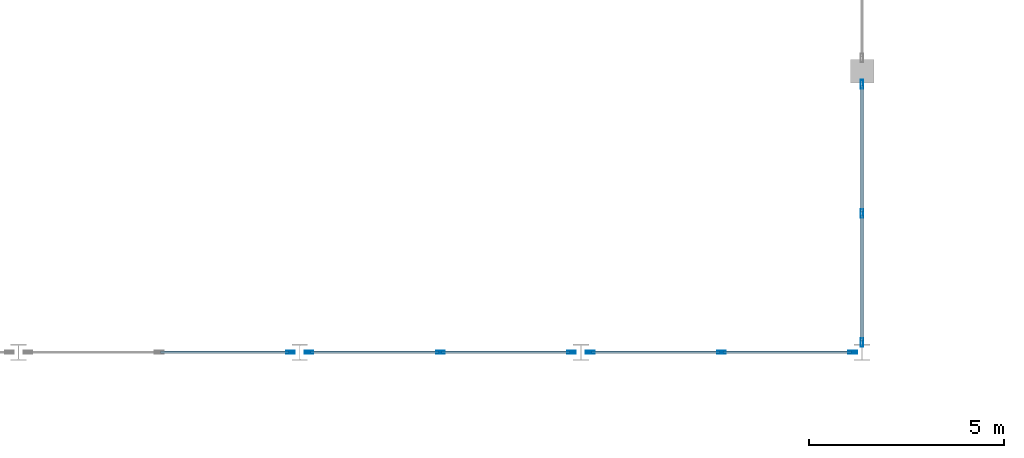
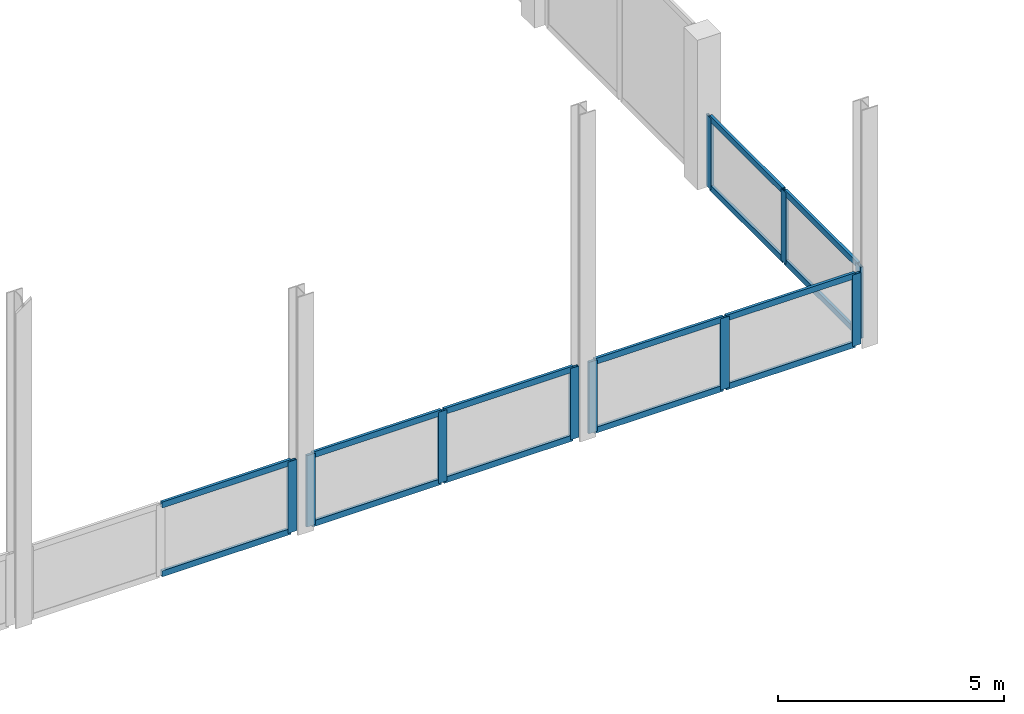
# One storey, part 18 of 51: 24 members, 4 elements without a shape of their own.
"""IFC4 building model written with IfcOpenShell, lengths in metres."""

from ifc_helpers import new_model, si_unit, direction, frame, origin, origin_2d, place, context, subcontext, project, spatial, hollow_rectangle, extrude, material, material_profile, profile_set, type_object, element, aggregate, save


model = new_model("IFC4")

# Units and contexts
model_context = context("Model", 3, precision=1e-05, world=origin(), true_north=direction((0.0, 1.0)))
body_context = subcontext(model_context, "Body", "Model", "MODEL_VIEW")
ifc_project = project(units=[si_unit("LENGTHUNIT", "METRE"), si_unit("AREAUNIT", "SQUARE_METRE"), si_unit("VOLUMEUNIT", "CUBIC_METRE"), si_unit("PLANEANGLEUNIT", "RADIAN"), si_unit("MASSUNIT", "GRAM", prefix="KILO")], contexts=[model_context])

# Site, building, storey
site_placement = place(None, origin())
site = spatial("IfcSite", under=ifc_project, at=site_placement, CompositionType="ELEMENT")
building_placement = place(site_placement, origin())
building = spatial("IfcBuilding", under=site, at=building_placement, Name="Vesperath Aquatics Centre", CompositionType="ELEMENT")
storey_placement = place(building_placement, frame((0.0, 0.0, 15.0)))
storey = spatial("IfcBuildingStorey", under=building, at=storey_placement, Name="L03", CompositionType="ELEMENT", Elevation=15.0)

# Curtain wall, member
ifc_material_1 = material(Name="Thermally broken anodised bronze aluminium curtain wall", Category="aluminium")
curtain_wall_type = type_object("IfcCurtainWallType", Name="CW-04", PredefinedType="NOTDEFINED", material=ifc_material_1)
curtain_wall_1_placement = place(storey_placement, origin())
curtain_wall_1 = element("IfcCurtainWall", 1, at=curtain_wall_1_placement, inside=storey, type_object=curtain_wall_type, Name="Facade Curtain Wall CW04 L03_S_05_12", PredefinedType="NOTDEFINED")
ifc_material_2 = material(Name="Thermally broken anodised aluminium", Category="aluminium")
ifc_material_profile_1 = material_profile(ifc_material_2, hollow_rectangle(XDim=0.070068359375, YDim=0.219970703125, WallThickness=0.0048828125, at=origin_2d()), Name="CWM 70x220x5")
ifc_profile_set_1 = profile_set([ifc_material_profile_1], Name="Thermally broken anodised aluminium")
member_type_1 = type_object("IfcMemberType", Name="MB-CWM2", PredefinedType="MULLION", material=ifc_profile_set_1)
member_1_placement = place(storey_placement, frame((42.96142578125, 86.39990234375, 0.0), z_axis=(0.0, 0.0, 1.0), x_axis=(0.0, 1.0, 0.0)))
member_1 = element("IfcMember", 2, at=member_1_placement, type_object=member_type_1, Name="CW04 mullion 3", PredefinedType="MULLION", context=body_context, shape_type="SweptSolid", body=[
    extrude(hollow_rectangle(XDim=0.070068359375, YDim=0.219970703125, WallThickness=0.0048828125, at=origin_2d()), origin(), (0.0, 0.0, 1.0), 1.926513671875),
])

# Curtain wall, members
curtain_wall_2_placement = place(storey_placement, origin())
curtain_wall_2 = element("IfcCurtainWall", 3, at=curtain_wall_2_placement, inside=storey, type_object=curtain_wall_type, Name="Facade Curtain Wall CW04 L03_S_06_12", PredefinedType="NOTDEFINED")
member_2_placement = place(storey_placement, frame((43.4384765625, 86.39990234375, 0.0), z_axis=(0.0, 0.0, 1.0), x_axis=(0.0, 1.0, 0.0)))
member_2 = element("IfcMember", 4, at=member_2_placement, type_object=member_type_1, Name="CW04 mullion 1", PredefinedType="MULLION", context=body_context, shape_type="SweptSolid", body=[
    extrude(hollow_rectangle(XDim=0.070068359375, YDim=0.219970703125, WallThickness=0.0048828125, at=origin_2d()), origin(), (0.0, 0.0, 1.0), 1.926513671875),
])
member_3_placement = place(storey_placement, frame((46.800048828125, 86.39990234375, 0.0), z_axis=(0.0, 0.0, 1.0), x_axis=(0.0, 1.0, 0.0)))
member_3 = element("IfcMember", 5, at=member_3_placement, type_object=member_type_1, Name="CW04 mullion 2", PredefinedType="MULLION", context=body_context, shape_type="SweptSolid", body=[
    extrude(hollow_rectangle(XDim=0.070068359375, YDim=0.219970703125, WallThickness=0.0048828125, at=origin_2d()), origin(), (0.0, 0.0, 1.0), 1.926513671875),
])
member_4_placement = place(storey_placement, frame((50.16162109375, 86.39990234375, 0.0), z_axis=(0.0, 0.0, 1.0), x_axis=(0.0, 1.0, 0.0)))
member_4 = element("IfcMember", 6, at=member_4_placement, type_object=member_type_1, Name="CW04 mullion 3", PredefinedType="MULLION", context=body_context, shape_type="SweptSolid", body=[
    extrude(hollow_rectangle(XDim=0.070068359375, YDim=0.219970703125, WallThickness=0.0048828125, at=origin_2d()), origin(), (0.0, 0.0, 1.0), 1.926513671875),
])

curtain_wall_3_placement = place(storey_placement, origin())
curtain_wall_3 = element("IfcCurtainWall", 7, at=curtain_wall_3_placement, inside=storey, type_object=curtain_wall_type, Name="Facade Curtain Wall CW04 L03_S_07_12", PredefinedType="NOTDEFINED")
member_5_placement = place(storey_placement, frame((50.638427734375, 86.39990234375, 0.0), z_axis=(0.0, 0.0, 1.0), x_axis=(0.0, 1.0, 0.0)))
member_5 = element("IfcMember", 8, at=member_5_placement, type_object=member_type_1, Name="CW04 mullion 1", PredefinedType="MULLION", context=body_context, shape_type="SweptSolid", body=[
    extrude(hollow_rectangle(XDim=0.070068359375, YDim=0.219970703125, WallThickness=0.0048828125, at=origin_2d()), origin(), (0.0, 0.0, 1.0), 1.926513671875),
])
member_6_placement = place(storey_placement, frame((54.0, 86.39990234375, 0.0), z_axis=(0.0, 0.0, 1.0), x_axis=(0.0, 1.0, 0.0)))
member_6 = element("IfcMember", 9, at=member_6_placement, type_object=member_type_1, Name="CW04 mullion 2", PredefinedType="MULLION", context=body_context, shape_type="SweptSolid", body=[
    extrude(hollow_rectangle(XDim=0.070068359375, YDim=0.219970703125, WallThickness=0.0048828125, at=origin_2d()), origin(), (0.0, 0.0, 1.0), 1.926513671875),
])
member_7_placement = place(storey_placement, frame((57.361572265625, 86.39990234375, 0.0), z_axis=(0.0, 0.0, 1.0), x_axis=(0.0, 1.0, 0.0)))
member_7 = element("IfcMember", 10, at=member_7_placement, type_object=member_type_1, Name="CW04 mullion 3", PredefinedType="MULLION", context=body_context, shape_type="SweptSolid", body=[
    extrude(hollow_rectangle(XDim=0.070068359375, YDim=0.219970703125, WallThickness=0.0048828125, at=origin_2d()), origin(), (0.0, 0.0, 1.0), 1.926513671875),
])

curtain_wall_4_placement = place(storey_placement, origin())
curtain_wall_4 = element("IfcCurtainWall", 11, at=curtain_wall_4_placement, inside=storey, type_object=curtain_wall_type, Name="Facade Curtain Wall CW04 L03_E_08_12", PredefinedType="NOTDEFINED")
member_8_placement = place(storey_placement, frame((57.60009765625, 86.64892578125, 0.0), z_axis=(0.0, 0.0, 1.0), x_axis=(-1.0, 0.0, 0.0)))
member_8 = element("IfcMember", 12, at=member_8_placement, type_object=member_type_1, Name="CW04 mullion 1", PredefinedType="MULLION", context=body_context, shape_type="SweptSolid", body=[
    extrude(hollow_rectangle(XDim=0.070068359375, YDim=0.219970703125, WallThickness=0.0048828125, at=origin_2d()), origin(), (0.0, 0.0, 1.0), 1.926513671875),
])
member_9_placement = place(storey_placement, frame((57.60009765625, 89.95703125, 0.0), z_axis=(0.0, 0.0, 1.0), x_axis=(-1.0, 0.0, 0.0)))
member_9 = element("IfcMember", 13, at=member_9_placement, type_object=member_type_1, Name="CW04 mullion 2", PredefinedType="MULLION", context=body_context, shape_type="SweptSolid", body=[
    extrude(hollow_rectangle(XDim=0.070068359375, YDim=0.219970703125, WallThickness=0.0048828125, at=origin_2d()), origin(), (0.0, 0.0, 1.0), 1.926513671875),
])
member_10_placement = place(storey_placement, frame((57.60009765625, 93.264892578125, 0.0), z_axis=(0.0, 0.0, 1.0), x_axis=(-1.0, 0.0, 0.0)))
member_10 = element("IfcMember", 14, at=member_10_placement, type_object=member_type_1, Name="CW04 mullion 3", PredefinedType="MULLION", context=body_context, shape_type="SweptSolid", body=[
    extrude(hollow_rectangle(XDim=0.070068359375, YDim=0.219970703125, WallThickness=0.0048828125, at=origin_2d()), origin(), (0.0, 0.0, 1.0), 1.926513671875),
])

# Member
ifc_material_profile_2 = material_profile(ifc_material_2, hollow_rectangle(XDim=0.070068359375, YDim=0.159912109375, WallThickness=0.0048828125, at=origin_2d()), Name="CWT 70x160x5")
ifc_profile_set_2 = profile_set([ifc_material_profile_2], Name="Thermally broken anodised aluminium")
member_type_2 = type_object("IfcMemberType", Name="MB-CWT2", PredefinedType="USERDEFINED", material=ifc_profile_set_2)
member_11_placement = place(storey_placement, frame((39.635009765625, 86.39990234375, 0.034912109375), z_axis=(1.0, 0.0, 0.0), x_axis=(0.0, 1.0, 0.0)))
member_11 = element("IfcMember", 15, at=member_11_placement, type_object=member_type_2, Name="CW04 transom 2.1", ObjectType="TRANSOM", PredefinedType="USERDEFINED", context=body_context, shape_type="SweptSolid", body=[
    extrude(hollow_rectangle(XDim=0.070068359375, YDim=0.159912109375, WallThickness=0.0048828125, at=origin_2d()), origin(), (0.0, 0.0, 1.0), 3.29150390625),
])

member_12_placement = place(storey_placement, frame((39.635009765625, 86.39990234375, 1.891357421875), z_axis=(1.0, 0.0, 0.0), x_axis=(0.0, 1.0, 0.0)))
member_12 = element("IfcMember", 16, at=member_12_placement, type_object=member_type_2, Name="CW04 transom 2.2", ObjectType="TRANSOM", PredefinedType="USERDEFINED", context=body_context, shape_type="SweptSolid", body=[
    extrude(hollow_rectangle(XDim=0.070068359375, YDim=0.159912109375, WallThickness=0.0048828125, at=origin_2d()), origin(), (0.0, 0.0, 1.0), 3.29150390625),
])

aggregate(curtain_wall_1, [member_1, member_11, member_12])

member_13_placement = place(storey_placement, frame((43.473388671875, 86.39990234375, 0.034912109375), z_axis=(1.0, 0.0, 0.0), x_axis=(0.0, 1.0, 0.0)))
member_13 = element("IfcMember", 17, at=member_13_placement, type_object=member_type_2, Name="CW04 transom 1.1", ObjectType="TRANSOM", PredefinedType="USERDEFINED", context=body_context, shape_type="SweptSolid", body=[
    extrude(hollow_rectangle(XDim=0.070068359375, YDim=0.159912109375, WallThickness=0.0048828125, at=origin_2d()), origin(), (0.0, 0.0, 1.0), 3.29150390625),
])

member_14_placement = place(storey_placement, frame((43.473388671875, 86.39990234375, 1.891357421875), z_axis=(1.0, 0.0, 0.0), x_axis=(0.0, 1.0, 0.0)))
member_14 = element("IfcMember", 18, at=member_14_placement, type_object=member_type_2, Name="CW04 transom 1.2", ObjectType="TRANSOM", PredefinedType="USERDEFINED", context=body_context, shape_type="SweptSolid", body=[
    extrude(hollow_rectangle(XDim=0.070068359375, YDim=0.159912109375, WallThickness=0.0048828125, at=origin_2d()), origin(), (0.0, 0.0, 1.0), 3.29150390625),
])

member_15_placement = place(storey_placement, frame((46.8349609375, 86.39990234375, 0.034912109375), z_axis=(1.0, 0.0, 0.0), x_axis=(0.0, 1.0, 0.0)))
member_15 = element("IfcMember", 19, at=member_15_placement, type_object=member_type_2, Name="CW04 transom 2.1", ObjectType="TRANSOM", PredefinedType="USERDEFINED", context=body_context, shape_type="SweptSolid", body=[
    extrude(hollow_rectangle(XDim=0.070068359375, YDim=0.159912109375, WallThickness=0.0048828125, at=origin_2d()), origin(), (0.0, 0.0, 1.0), 3.29150390625),
])

member_16_placement = place(storey_placement, frame((46.8349609375, 86.39990234375, 1.891357421875), z_axis=(1.0, 0.0, 0.0), x_axis=(0.0, 1.0, 0.0)))
member_16 = element("IfcMember", 20, at=member_16_placement, type_object=member_type_2, Name="CW04 transom 2.2", ObjectType="TRANSOM", PredefinedType="USERDEFINED", context=body_context, shape_type="SweptSolid", body=[
    extrude(hollow_rectangle(XDim=0.070068359375, YDim=0.159912109375, WallThickness=0.0048828125, at=origin_2d()), origin(), (0.0, 0.0, 1.0), 3.29150390625),
])

aggregate(curtain_wall_2, [member_2, member_3, member_4, member_13, member_14, member_15, member_16])

member_17_placement = place(storey_placement, frame((50.673583984375, 86.39990234375, 0.034912109375), z_axis=(1.0, 0.0, 0.0), x_axis=(0.0, 1.0, 0.0)))
member_17 = element("IfcMember", 21, at=member_17_placement, type_object=member_type_2, Name="CW04 transom 1.1", ObjectType="TRANSOM", PredefinedType="USERDEFINED", context=body_context, shape_type="SweptSolid", body=[
    extrude(hollow_rectangle(XDim=0.070068359375, YDim=0.159912109375, WallThickness=0.0048828125, at=origin_2d()), origin(), (0.0, 0.0, 1.0), 3.29150390625),
])

member_18_placement = place(storey_placement, frame((50.673583984375, 86.39990234375, 1.891357421875), z_axis=(1.0, 0.0, 0.0), x_axis=(0.0, 1.0, 0.0)))
member_18 = element("IfcMember", 22, at=member_18_placement, type_object=member_type_2, Name="CW04 transom 1.2", ObjectType="TRANSOM", PredefinedType="USERDEFINED", context=body_context, shape_type="SweptSolid", body=[
    extrude(hollow_rectangle(XDim=0.070068359375, YDim=0.159912109375, WallThickness=0.0048828125, at=origin_2d()), origin(), (0.0, 0.0, 1.0), 3.29150390625),
])

member_19_placement = place(storey_placement, frame((54.034912109375, 86.39990234375, 0.034912109375), z_axis=(1.0, 0.0, 0.0), x_axis=(0.0, 1.0, 0.0)))
member_19 = element("IfcMember", 23, at=member_19_placement, type_object=member_type_2, Name="CW04 transom 2.1", ObjectType="TRANSOM", PredefinedType="USERDEFINED", context=body_context, shape_type="SweptSolid", body=[
    extrude(hollow_rectangle(XDim=0.070068359375, YDim=0.159912109375, WallThickness=0.0048828125, at=origin_2d()), origin(), (0.0, 0.0, 1.0), 3.29150390625),
])

member_20_placement = place(storey_placement, frame((54.034912109375, 86.39990234375, 1.891357421875), z_axis=(1.0, 0.0, 0.0), x_axis=(0.0, 1.0, 0.0)))
member_20 = element("IfcMember", 24, at=member_20_placement, type_object=member_type_2, Name="CW04 transom 2.2", ObjectType="TRANSOM", PredefinedType="USERDEFINED", context=body_context, shape_type="SweptSolid", body=[
    extrude(hollow_rectangle(XDim=0.070068359375, YDim=0.159912109375, WallThickness=0.0048828125, at=origin_2d()), origin(), (0.0, 0.0, 1.0), 3.29150390625),
])

aggregate(curtain_wall_3, [member_5, member_6, member_7, member_17, member_18, member_19, member_20])

member_21_placement = place(storey_placement, frame((57.60009765625, 86.68408203125, 0.034912109375), z_axis=(0.0, 1.0, 0.0), x_axis=(-1.0, 0.0, 0.0)))
member_21 = element("IfcMember", 25, at=member_21_placement, type_object=member_type_2, Name="CW04 transom 1.1", ObjectType="TRANSOM", PredefinedType="USERDEFINED", context=body_context, shape_type="SweptSolid", body=[
    extrude(hollow_rectangle(XDim=0.070068359375, YDim=0.159912109375, WallThickness=0.0048828125, at=origin_2d()), origin(), (0.0, 0.0, 1.0), 3.238037109375),
])

member_22_placement = place(storey_placement, frame((57.60009765625, 86.68408203125, 1.891357421875), z_axis=(0.0, 1.0, 0.0), x_axis=(-1.0, 0.0, 0.0)))
member_22 = element("IfcMember", 26, at=member_22_placement, type_object=member_type_2, Name="CW04 transom 1.2", ObjectType="TRANSOM", PredefinedType="USERDEFINED", context=body_context, shape_type="SweptSolid", body=[
    extrude(hollow_rectangle(XDim=0.070068359375, YDim=0.159912109375, WallThickness=0.0048828125, at=origin_2d()), origin(), (0.0, 0.0, 1.0), 3.238037109375),
])

member_23_placement = place(storey_placement, frame((57.60009765625, 89.991943359375, 0.034912109375), z_axis=(0.0, 1.0, 0.0), x_axis=(-1.0, 0.0, 0.0)))
member_23 = element("IfcMember", 27, at=member_23_placement, type_object=member_type_2, Name="CW04 transom 2.1", ObjectType="TRANSOM", PredefinedType="USERDEFINED", context=body_context, shape_type="SweptSolid", body=[
    extrude(hollow_rectangle(XDim=0.070068359375, YDim=0.159912109375, WallThickness=0.0048828125, at=origin_2d()), origin(), (0.0, 0.0, 1.0), 3.238037109375),
])

member_24_placement = place(storey_placement, frame((57.60009765625, 89.991943359375, 1.891357421875), z_axis=(0.0, 1.0, 0.0), x_axis=(-1.0, 0.0, 0.0)))
member_24 = element("IfcMember", 28, at=member_24_placement, type_object=member_type_2, Name="CW04 transom 2.2", ObjectType="TRANSOM", PredefinedType="USERDEFINED", context=body_context, shape_type="SweptSolid", body=[
    extrude(hollow_rectangle(XDim=0.070068359375, YDim=0.159912109375, WallThickness=0.0048828125, at=origin_2d()), origin(), (0.0, 0.0, 1.0), 3.238037109375),
])

aggregate(curtain_wall_4, [member_8, member_9, member_10, member_21, member_22, member_23, member_24])

save(model, "model.ifc")
